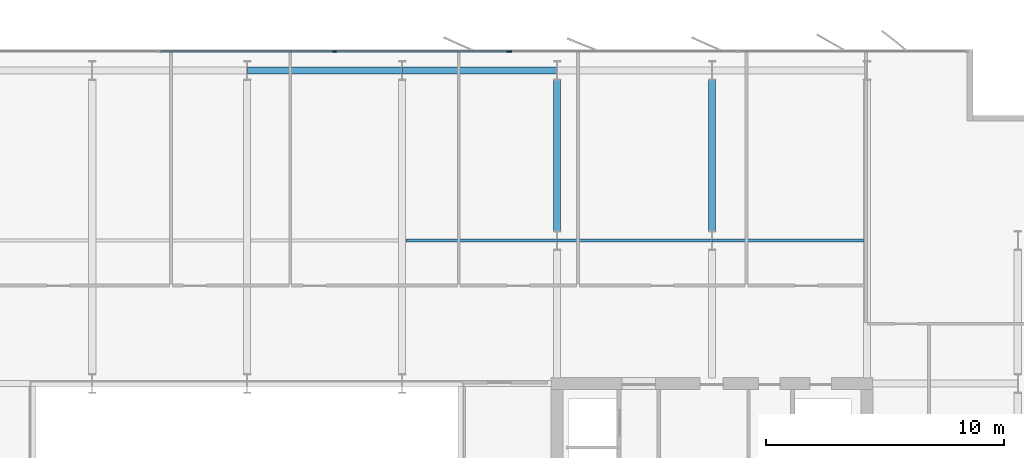
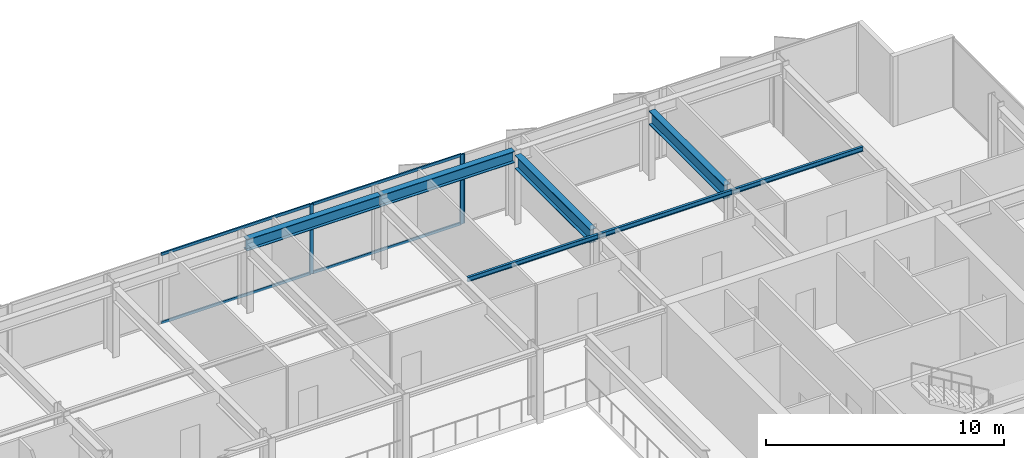
# One storey, part 12 of 23: 7 beams, 7 members, 2 elements without a shape of their own.
"""IFC4 building model written with IfcOpenShell, lengths in metres."""

import ifcopenshell
import ifcopenshell.guid

model = None  # the IFC model being written
_history = None  # IfcOwnerHistory: only IFC2X3 demands one
_inside = {}  # id of a spatial element -> (the spatial element, [elements in it])
_under = {}  # id of a project, library or spatial element -> (it, [spatial elements below it])
_declared = {}  # id of a project -> (the project, [libraries it declares])
_typed = {}  # id of a type object -> (the type object, [elements of that type])
_made_of = {}  # id of a material, layer set ... -> (it, [elements and type objects made of it])


def new_model(schema):
    """Start an empty IFC model of exactly this schema.

    Asked for "IFC4X3", IfcOpenShell would pick the latest addendum, in which some entities
    have other attributes; the version numbers below select the first issue.
    IFC2X3 requires an IfcOwnerHistory on every rooted entity: one is made here for all.
    """
    global model, _history
    if schema == "IFC4X3":
        model = ifcopenshell.file(schema_version=(4, 3, 0, 0))
    else:
        model = ifcopenshell.file(schema=schema)
    _inside.clear()
    _under.clear()
    _declared.clear()
    _typed.clear()
    _made_of.clear()
    _history = None
    if model.schema == "IFC2X3":
        org = make("IfcOrganization", Name="unknown")
        user = make(
            "IfcPersonAndOrganization",
            ThePerson=make("IfcPerson", FamilyName="unknown"),
            TheOrganization=org,
        )
        app = make(
            "IfcApplication",
            ApplicationDeveloper=org,
            Version="unknown",
            ApplicationFullName="unknown",
            ApplicationIdentifier="unknown",
        )
        _history = make(
            "IfcOwnerHistory",
            OwningUser=user,
            OwningApplication=app,
            ChangeAction="ADDED",
            CreationDate=0,
        )
    return model


def make(cls, **values):
    """One entity of the class cls with the attributes given. An attribute that is None is left unset."""
    return model.create_entity(
        cls, **{name: value for name, value in values.items() if value is not None}
    )


def rooted(cls, **values):
    """An entity with a GlobalId (a new one), such as an element, a storey or a relation."""
    return make(cls, GlobalId=ifcopenshell.guid.new(), OwnerHistory=_history, **values)


def si_unit(unit_type, name, prefix=None):
    """IfcSIUnit, for example si_unit("LENGTHUNIT", "METRE", prefix="MILLI")."""
    return make("IfcSIUnit", UnitType=unit_type, Prefix=prefix, Name=name)


def assignment(units):
    """IfcUnitAssignment: the units of a project."""
    return None if units is None else make("IfcUnitAssignment", Units=units)


def point(xyz):
    """IfcCartesianPoint."""
    return None if xyz is None else make("IfcCartesianPoint", Coordinates=xyz)


def direction(xyz):
    """IfcDirection."""
    return None if xyz is None else make("IfcDirection", DirectionRatios=xyz)


def frame(location, z_axis=None, x_axis=None):
    """IfcAxis2Placement3D, a coordinate frame: its origin and axes. An axis left out is left unset."""
    return make(
        "IfcAxis2Placement3D",
        Location=point(location),
        Axis=direction(z_axis),
        RefDirection=direction(x_axis),
    )


def frame_2d(location, x_axis=None):
    """IfcAxis2Placement2D, a coordinate frame in the plane: its origin and x axis."""
    return make(
        "IfcAxis2Placement2D", Location=point(location), RefDirection=direction(x_axis)
    )


def origin():
    """The frame at (0, 0, 0) with its axes left unset."""
    return frame((0.0, 0.0, 0.0))


def origin_2d():
    """The frame at (0, 0) in the plane with its x axis left unset."""
    return frame_2d((0.0, 0.0))


def place(relative_to, where):
    """IfcLocalPlacement: puts the frame where relative to a parent placement (None: the world)."""
    return make(
        "IfcLocalPlacement", PlacementRelTo=relative_to, RelativePlacement=where
    )


def context(
    kind, dimensions, precision=None, world=None, true_north=None, identifier=None
):
    """IfcGeometricRepresentationContext, for example the 3D "Model" context."""
    return make(
        "IfcGeometricRepresentationContext",
        ContextIdentifier=identifier,
        ContextType=kind,
        CoordinateSpaceDimension=dimensions,
        Precision=precision,
        WorldCoordinateSystem=world,
        TrueNorth=true_north,
    )


def subcontext(parent, identifier, kind, view, scale=None):
    """IfcGeometricRepresentationSubContext, for example "Body" below "Model"."""
    return make(
        "IfcGeometricRepresentationSubContext",
        ContextIdentifier=identifier,
        ContextType=kind,
        ParentContext=parent,
        TargetScale=scale,
        TargetView=view,
    )


def project(units=None, contexts=None):
    """IfcProject with its units and contexts."""
    return rooted(
        "IfcProject",
        Name="project",
        RepresentationContexts=contexts,
        UnitsInContext=assignment(units),
    )


def spatial(cls, under=None, at=None, **own):
    """A site, building, storey or space (cls), placed at a placement, below another one or the project."""
    s = rooted(cls, ObjectPlacement=at, **own)
    if under is not None:
        _under.setdefault(under.id(), (under, []))[1].append(s)
    return s


def profile(cls, at=None, kind="AREA", **sizes):
    """A parametric profile (cls). Its sizes go by their IFC names, for example OverallWidth=200.0."""
    return make(cls, ProfileType=kind, Position=at, **sizes)


def rectangle(**sizes):
    """IfcRectangleProfileDef."""
    return profile("IfcRectangleProfileDef", **sizes)


def i_section(**sizes):
    """IfcIShapeProfileDef."""
    return profile("IfcIShapeProfileDef", **sizes)


def extrude(swept, where, along, depth):
    """IfcExtrudedAreaSolid: the profile swept, set in the frame where, extruded along a direction by depth."""
    return make(
        "IfcExtrudedAreaSolid",
        SweptArea=swept,
        Position=where,
        ExtrudedDirection=direction(along),
        Depth=depth,
    )


def shape(context_of_items, identifier, shape_type, items):
    """IfcShapeRepresentation: the items that make up one representation, for example the "Body"."""
    return make(
        "IfcShapeRepresentation",
        ContextOfItems=context_of_items,
        RepresentationIdentifier=identifier,
        RepresentationType=shape_type,
        Items=items,
    )


def material(Name=None, Category=None):
    """IfcMaterial."""
    return make("IfcMaterial", Name=Name, Category=Category)


def layer(
    of_material, thickness, ventilated=None, Name=None, Category=None, Priority=None
):
    """IfcMaterialLayer: one layer of a wall or slab, of a material (None: an air gap)."""
    return make(
        "IfcMaterialLayer",
        Material=of_material,
        LayerThickness=thickness,
        IsVentilated=ventilated,
        Name=Name,
        Category=Category,
        Priority=Priority,
    )


def layer_set(layers, Name=None):
    """IfcMaterialLayerSet."""
    return make("IfcMaterialLayerSet", MaterialLayers=layers, LayerSetName=Name)


def material_profile(
    of_material, cross_section, Name=None, Category=None, Priority=None
):
    """IfcMaterialProfile: a cross section and its material."""
    return make(
        "IfcMaterialProfile",
        Name=Name,
        Material=of_material,
        Profile=cross_section,
        Priority=Priority,
        Category=Category,
    )


def profile_set(profiles, Name=None, composite=None):
    """IfcMaterialProfileSet."""
    return make(
        "IfcMaterialProfileSet",
        Name=Name,
        MaterialProfiles=profiles,
        CompositeProfile=composite,
    )


def made_of(thing, what):
    """Note that an element or type object is made of a material, layer set ...; save() writes the relation."""
    if what is not None:
        _made_of.setdefault(what.id(), (what, []))[1].append(thing)
    return thing


def type_object(cls, material=None, **own):
    """A type object (cls), such as IfcWallType, which elements share."""
    return made_of(rooted(cls, **own), material)


def element(
    cls,
    number,
    at=None,
    inside=None,
    cuts=None,
    type_object=None,
    material=None,
    context=None,
    identifier="Body",
    shape_type=None,
    held_by="IfcProductDefinitionShape",
    body=None,
    shapes=None,
    **own,
):
    """One element of the class cls, such as IfcWall. Its Tag is "e" and its number.

    at: its placement. inside: the storey or other place that contains it. cuts: it is an
    opening in that element (IfcRelVoidsElement). A single representation is given by context,
    identifier, shape_type and body (its items); several are given by shapes. held_by: the class
    of the entity that holds the representations. save() writes the other relations.
    """
    e = rooted(cls, Tag="e%d" % number, ObjectPlacement=at, **own)
    if body is not None:
        shapes = [shape(context, identifier, shape_type, body)]
    if shapes is not None:
        e.Representation = make(held_by, Representations=shapes)
    if inside is not None:
        _inside.setdefault(inside.id(), (inside, []))[1].append(e)
    if cuts is not None:
        rooted(
            "IfcRelVoidsElement", RelatingBuildingElement=cuts, RelatedOpeningElement=e
        )
    if type_object is not None:
        _typed.setdefault(type_object.id(), (type_object, []))[1].append(e)
    return made_of(e, material)


def aggregate(whole, parts):
    """IfcRelAggregates: a whole, such as a stair, and the parts it consists of."""
    return rooted("IfcRelAggregates", RelatingObject=whole, RelatedObjects=parts)


def save(model, path):
    """Write the relations noted so far, then the file.

    IfcRelAggregates (storeys below a building ...), IfcRelContainedInSpatialStructure (elements
    in a storey), IfcRelDefinesByType, IfcRelAssociatesMaterial and IfcRelDeclares: one each for
    every whole, place, type object, material and project.
    """
    for whole, parts in _under.values():
        aggregate(whole, parts)
    for where, things in _inside.values():
        rooted(
            "IfcRelContainedInSpatialStructure",
            RelatedElements=things,
            RelatingStructure=where,
        )
    for kind, things in _typed.values():
        rooted("IfcRelDefinesByType", RelatedObjects=things, RelatingType=kind)
    for what, things in _made_of.values():
        rooted("IfcRelAssociatesMaterial", RelatedObjects=things, RelatingMaterial=what)
    for by, libraries in _declared.values():
        rooted("IfcRelDeclares", RelatingContext=by, RelatedDefinitions=libraries)
    model.write(path)


model = new_model("IFC4")

# Units and contexts
model_context = context("Model", 3, precision=1e-05, world=origin(), true_north=direction((0.0, 1.0)))
body_context = subcontext(model_context, "Body", "Model", "MODEL_VIEW")
ifc_project = project(units=[si_unit("LENGTHUNIT", "METRE"), si_unit("AREAUNIT", "SQUARE_METRE"), si_unit("VOLUMEUNIT", "CUBIC_METRE"), si_unit("PLANEANGLEUNIT", "RADIAN"), si_unit("MASSUNIT", "GRAM", prefix="KILO")], contexts=[model_context])

# Site, building, storey
site_placement = place(None, origin())
site = spatial("IfcSite", under=ifc_project, at=site_placement, CompositionType="ELEMENT")
building_placement = place(site_placement, origin())
building = spatial("IfcBuilding", under=site, at=building_placement, Name="Putna Gate Headquarters", CompositionType="ELEMENT")
storey_placement = place(building_placement, frame((0.0, 0.0, 232.800048828125)))
storey = spatial("IfcBuildingStorey", under=building, at=storey_placement, Name="L58", CompositionType="ELEMENT", Elevation=232.800048828125)

# Beams
ifc_material_1 = material(Name="Steel S355J2", Category="steel")
ifc_material_profile_1 = material_profile(ifc_material_1, i_section(OverallWidth=0.300048828125, OverallDepth=0.699951171875, WebThickness=0.01708984375, FlangeThickness=0.031982421875, at=origin_2d()), Name="Steel S355J2")
ifc_profile_set_1 = profile_set([ifc_material_profile_1], Name="Steel S355J2")
beam_type_1 = type_object("IfcBeamType", Name="BM-GIRD-B-HEB700", PredefinedType="USERDEFINED", material=ifc_profile_set_1)
for number, where, z_axis, x_axis, name in (
    (1, (52.0, 39.39501953125, 3.22998046875), (0.0, 1.0, 0.0), (-1.0, 0.0, 0.0), "L58 North Primary Girder X52-2"),
    (2, (58.5, 39.39501953125, 3.22998046875), (0.0, 1.0, 0.0), (-1.0, 0.0, 0.0), "L58 North Primary Girder X58-2"),
):
    element("IfcBeam", number, at=place(storey_placement, frame(where, z_axis=z_axis, x_axis=x_axis)), inside=storey, type_object=beam_type_1, Name=name, ObjectType="GIRDER", PredefinedType="USERDEFINED", context=body_context, shape_type="SweptSolid", body=[
        extrude(i_section(OverallWidth=0.300048828125, OverallDepth=0.699951171875, WebThickness=0.01708984375, FlangeThickness=0.031982421875, at=origin_2d()), origin(), (0.0, 0.0, 1.0), 6.330078125),
    ])
ifc_material_profile_2 = material_profile(ifc_material_1, i_section(OverallWidth=0.1201171875, OverallDepth=0.239990234375, WebThickness=0.006103515625, FlangeThickness=0.009765625, at=origin_2d()), Name="Steel S355J2")
ifc_profile_set_2 = profile_set([ifc_material_profile_2], Name="Steel S355J2")
beam_type_2 = type_object("IfcBeamType", Name="BM-SEC-Z4-IPE240", PredefinedType="JOIST", material=ifc_profile_set_2)
beam_1_placement = place(storey_placement, frame((45.654052734375, 39.0, 3.4599609375), z_axis=(1.0, 0.0, 0.0), x_axis=(0.0, 1.0, 0.0)))
element("IfcBeam", 3, at=beam_1_placement, inside=storey, type_object=beam_type_2, Name="L58 North Secondary Beam 6", PredefinedType="JOIST", context=body_context, shape_type="SweptSolid", body=[
    extrude(i_section(OverallWidth=0.1201171875, OverallDepth=0.239990234375, WebThickness=0.006103515625, FlangeThickness=0.009765625, at=origin_2d()), origin(), (0.0, 0.0, 1.0), 6.33984375),
])
beam_2_placement = place(storey_placement, frame((52.006103515625, 39.0, 3.4599609375), z_axis=(1.0, 0.0, 0.0), x_axis=(0.0, 1.0, 0.0)))
element("IfcBeam", 4, at=beam_2_placement, inside=storey, type_object=beam_type_2, Name="L58 North Secondary Beam 7", PredefinedType="JOIST", context=body_context, shape_type="SweptSolid", body=[
    extrude(i_section(OverallWidth=0.1201171875, OverallDepth=0.239990234375, WebThickness=0.006103515625, FlangeThickness=0.009765625, at=origin_2d()), origin(), (0.0, 0.0, 1.0), 6.48779296875),
])
beam_3_placement = place(storey_placement, frame((58.506103515625, 39.0, 3.4599609375), z_axis=(1.0, 0.0, 0.0), x_axis=(0.0, 1.0, 0.0)))
element("IfcBeam", 5, at=beam_3_placement, inside=storey, type_object=beam_type_2, Name="L58 North Secondary Beam 8", PredefinedType="JOIST", context=body_context, shape_type="SweptSolid", body=[
    extrude(i_section(OverallWidth=0.1201171875, OverallDepth=0.239990234375, WebThickness=0.006103515625, FlangeThickness=0.009765625, at=origin_2d()), origin(), (0.0, 0.0, 1.0), 6.33984375),
])
ifc_material_profile_3 = material_profile(ifc_material_1, i_section(OverallWidth=0.300048828125, OverallDepth=0.590087890625, WebThickness=0.012939453125, FlangeThickness=0.02490234375, at=origin_2d()), Name="Steel S355J2")
ifc_profile_set_3 = profile_set([ifc_material_profile_3], Name="Steel S355J2")
beam_type_3 = type_object("IfcBeamType", Name="BM-SPAN-Z4-HEA600", PredefinedType="SPANDREL", material=ifc_profile_set_3)
for number, where, z_axis, x_axis, name in (
    (6, (39.006103515625, 46.1201171875, 3.284912109375), (1.0, 0.0, 0.0), (0.0, 1.0, 0.0), "L58 N Perimeter Spandrel 5"),
    (7, (45.506103515625, 46.1201171875, 3.284912109375), (1.0, 0.0, 0.0), (0.0, 1.0, 0.0), "L58 N Perimeter Spandrel 6"),
):
    element("IfcBeam", number, at=place(storey_placement, frame(where, z_axis=z_axis, x_axis=x_axis)), inside=storey, type_object=beam_type_3, Name=name, PredefinedType="SPANDREL", context=body_context, shape_type="SweptSolid", body=[
        extrude(i_section(OverallWidth=0.300048828125, OverallDepth=0.590087890625, WebThickness=0.012939453125, FlangeThickness=0.02490234375, at=origin_2d()), origin(), (0.0, 0.0, 1.0), 6.48779296875),
    ])

# Curtain wall, member
ifc_material_2 = material(Name="Anodised bronze aluminium curtain wall", Category="aluminium")
ifc_layer_1 = layer(ifc_material_2, 0.139892578125)
ifc_layer_set_1 = layer_set([ifc_layer_1], Name="Anodised bronze aluminium curtain wall")
curtain_wall_type_1 = type_object("IfcCurtainWallType", Name="CW-SYS-Z4", PredefinedType="USERDEFINED", material=ifc_layer_set_1)
curtain_wall_1_placement = place(storey_placement, origin())
curtain_wall_1 = element("IfcCurtainWall", 8, at=curtain_wall_1_placement, inside=storey, type_object=curtain_wall_type_1, Name="L58 North East Curtain Wall", ObjectType="STICK CURTAIN WALL", PredefinedType="USERDEFINED")
ifc_material_3 = material(Name="Anodised bronze aluminium EN AW-6060", Category="aluminium")
ifc_material_profile_4 = material_profile(ifc_material_3, rectangle(XDim=0.06005859375, YDim=0.139892578125, at=origin_2d()), Name="Anodised bronze aluminium EN AW-6060")
ifc_profile_set_4 = profile_set([ifc_material_profile_4], Name="Anodised bronze aluminium EN AW-6060")
member_type_1 = type_object("IfcMemberType", Name="MULL-CWM-4", PredefinedType="MULLION", material=ifc_profile_set_4)
member_1_placement = place(storey_placement, frame((50.030029296875, 46.919921875, 0.0), z_axis=(0.0, 0.0, 1.0), x_axis=(0.0, 1.0, 0.0)))
member_1 = element("IfcMember", 9, at=member_1_placement, type_object=member_type_1, Name="CWS-4 mullion 1", PredefinedType="MULLION", context=body_context, shape_type="SweptSolid", body=[
    extrude(rectangle(XDim=0.06005859375, YDim=0.139892578125, at=origin_2d()), origin(), (0.0, 0.0, 1.0), 3.579833984375),
])
aggregate(curtain_wall_1, [member_1])

# Curtain wall, members
ifc_layer_2 = layer(ifc_material_2, 0.179931640625)
ifc_layer_set_2 = layer_set([ifc_layer_2], Name="Anodised bronze aluminium curtain wall")
curtain_wall_type_2 = type_object("IfcCurtainWallType", Name="CW-SYS-ATR", PredefinedType="USERDEFINED", material=ifc_layer_set_2)
curtain_wall_2_placement = place(storey_placement, origin())
curtain_wall_2 = element("IfcCurtainWall", 10, at=curtain_wall_2_placement, inside=storey, type_object=curtain_wall_type_2, Name="L58 North Atrium Clear Glazing", ObjectType="ATRIUM GLAZING", PredefinedType="USERDEFINED")
ifc_material_profile_5 = material_profile(ifc_material_3, rectangle(XDim=0.070068359375, YDim=0.179931640625, at=origin_2d()), Name="Anodised bronze aluminium EN AW-6060")
ifc_profile_set_5 = profile_set([ifc_material_profile_5], Name="Anodised bronze aluminium EN AW-6060")
member_type_2 = type_object("IfcMemberType", Name="MULL-CWM-AT", PredefinedType="MULLION", material=ifc_profile_set_5)
member_2_placement = place(storey_placement, frame((42.666748046875, 46.919921875, 0.0), z_axis=(0.0, 0.0, 1.0), x_axis=(0.0, 1.0, 0.0)))
member_2 = element("IfcMember", 11, at=member_2_placement, type_object=member_type_2, Name="CWS-AT mullion 3", PredefinedType="MULLION", context=body_context, shape_type="SweptSolid", body=[
    extrude(rectangle(XDim=0.070068359375, YDim=0.179931640625, at=origin_2d()), origin(), (0.0, 0.0, 1.0), 3.579833984375),
])
member_3_placement = place(storey_placement, frame((49.965087890625, 46.919921875, 0.0), z_axis=(0.0, 0.0, 1.0), x_axis=(0.0, 1.0, 0.0)))
member_3 = element("IfcMember", 12, at=member_3_placement, type_object=member_type_2, Name="CWS-AT mullion 4", PredefinedType="MULLION", context=body_context, shape_type="SweptSolid", body=[
    extrude(rectangle(XDim=0.070068359375, YDim=0.179931640625, at=origin_2d()), origin(), (0.0, 0.0, 1.0), 3.579833984375),
])
ifc_material_profile_6 = material_profile(ifc_material_3, rectangle(XDim=0.070068359375, YDim=0.139892578125, at=origin_2d()), Name="Anodised bronze aluminium EN AW-6060")
ifc_profile_set_6 = profile_set([ifc_material_profile_6], Name="Anodised bronze aluminium EN AW-6060")
member_type_3 = type_object("IfcMemberType", Name="TRAN-CWT-AT", PredefinedType="USERDEFINED", material=ifc_profile_set_6)
member_4_placement = place(storey_placement, frame((35.368408203125, 46.919921875, 0.034912109375), z_axis=(1.0, 0.0, 0.0), x_axis=(0.0, 1.0, 0.0)))
member_4 = element("IfcMember", 13, at=member_4_placement, type_object=member_type_3, Name="CWS-AT transom 2.1", ObjectType="TRANSOM", PredefinedType="USERDEFINED", context=body_context, shape_type="SweptSolid", body=[
    extrude(rectangle(XDim=0.070068359375, YDim=0.139892578125, at=origin_2d()), origin(), (0.0, 0.0, 1.0), 7.26318359375),
])
member_5_placement = place(storey_placement, frame((35.368408203125, 46.919921875, 3.544921875), z_axis=(1.0, 0.0, 0.0), x_axis=(0.0, 1.0, 0.0)))
member_5 = element("IfcMember", 14, at=member_5_placement, type_object=member_type_3, Name="CWS-AT transom 2.2", ObjectType="TRANSOM", PredefinedType="USERDEFINED", context=body_context, shape_type="SweptSolid", body=[
    extrude(rectangle(XDim=0.070068359375, YDim=0.139892578125, at=origin_2d()), origin(), (0.0, 0.0, 1.0), 7.26318359375),
])
member_6_placement = place(storey_placement, frame((42.70166015625, 46.919921875, 0.034912109375), z_axis=(1.0, 0.0, 0.0), x_axis=(0.0, 1.0, 0.0)))
member_6 = element("IfcMember", 15, at=member_6_placement, type_object=member_type_3, Name="CWS-AT transom 3.1", ObjectType="TRANSOM", PredefinedType="USERDEFINED", context=body_context, shape_type="SweptSolid", body=[
    extrude(rectangle(XDim=0.070068359375, YDim=0.139892578125, at=origin_2d()), origin(), (0.0, 0.0, 1.0), 7.228271484375),
])
member_7_placement = place(storey_placement, frame((42.70166015625, 46.919921875, 3.544921875), z_axis=(1.0, 0.0, 0.0), x_axis=(0.0, 1.0, 0.0)))
member_7 = element("IfcMember", 16, at=member_7_placement, type_object=member_type_3, Name="CWS-AT transom 3.2", ObjectType="TRANSOM", PredefinedType="USERDEFINED", context=body_context, shape_type="SweptSolid", body=[
    extrude(rectangle(XDim=0.070068359375, YDim=0.139892578125, at=origin_2d()), origin(), (0.0, 0.0, 1.0), 7.228271484375),
])
aggregate(curtain_wall_2, [member_2, member_3, member_4, member_5, member_6, member_7])

save(model, "model.ifc")
